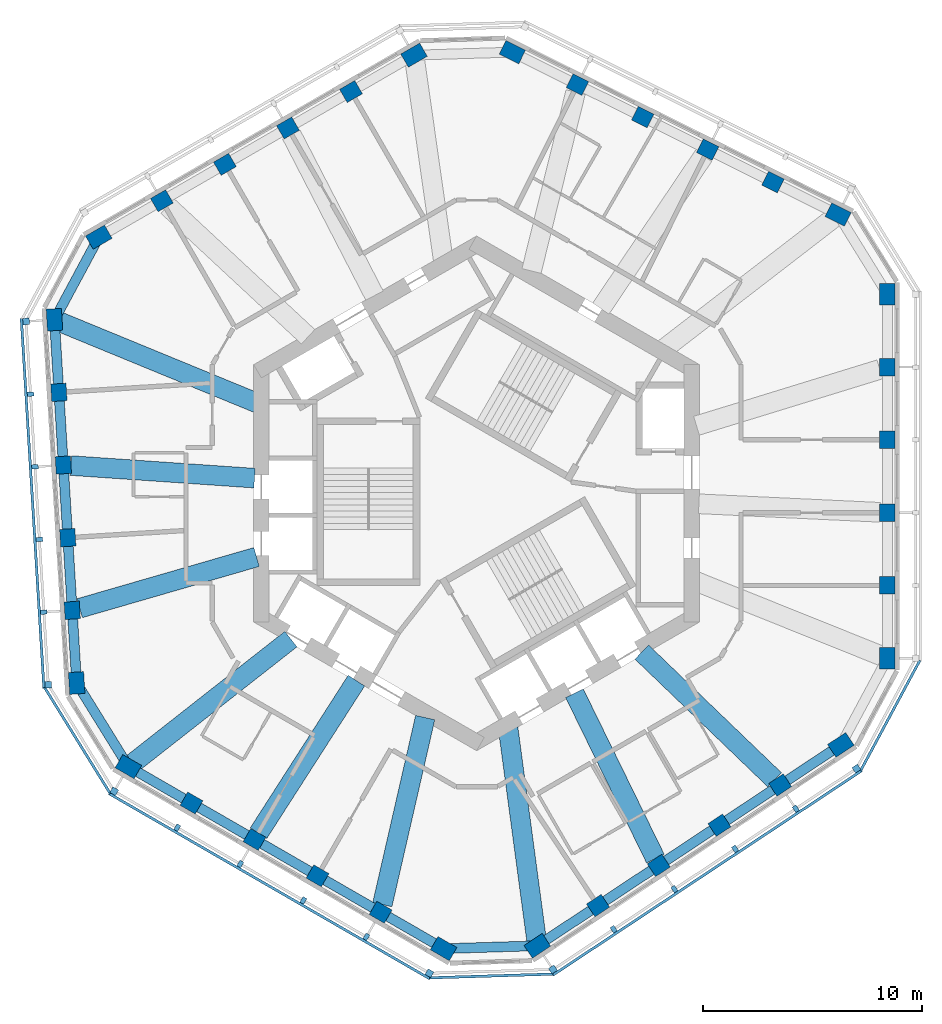
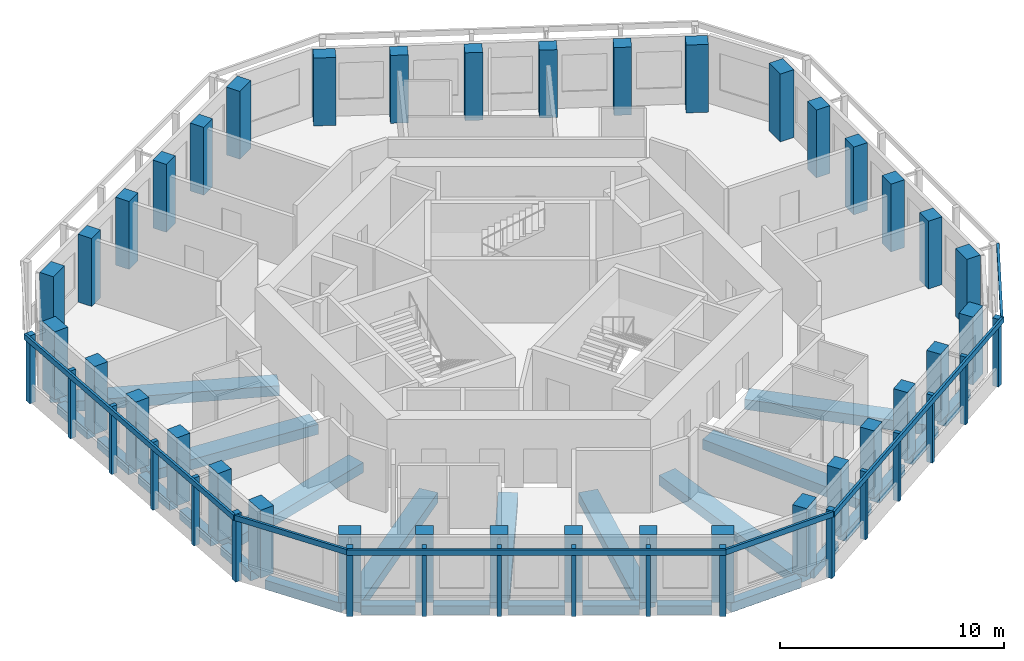
# One storey, part 1 of 11: 36 columns, 27 beams, 24 members, 6 elements without a shape of their own.
"""IFC4 building model written with IfcOpenShell, lengths in metres."""

from ifc_helpers import new_model, si_unit, direction, frame, origin, origin_2d, place, context, subcontext, project, spatial, rectangle, extrude, material, material_profile, profile_set, type_object, element, aggregate, save


model = new_model("IFC4")

# Units and contexts
model_context = context("Model", 3, precision=1e-05, world=origin(), true_north=direction((0.0, 1.0)))
body_context = subcontext(model_context, "Body", "Model", "MODEL_VIEW")
ifc_project = project(units=[si_unit("LENGTHUNIT", "METRE"), si_unit("AREAUNIT", "SQUARE_METRE"), si_unit("VOLUMEUNIT", "CUBIC_METRE"), si_unit("PLANEANGLEUNIT", "RADIAN"), si_unit("MASSUNIT", "GRAM", prefix="KILO")], contexts=[model_context])

# Site, building, storey
site_placement = place(None, origin())
site = spatial("IfcSite", under=ifc_project, at=site_placement, CompositionType="ELEMENT")
building_placement = place(site_placement, origin())
building = spatial("IfcBuilding", under=site, at=building_placement, Name="Vanh Sen Convention Tower", CompositionType="ELEMENT")
storey_placement = place(building_placement, frame((0.0, 0.0, 289.39990234375)))
storey = spatial("IfcBuildingStorey", under=building, at=storey_placement, Name="L71", CompositionType="ELEMENT", Elevation=289.39990234375)

# Columns
ifc_material_1 = material(Name="Concrete C60/75", Category="concrete")
ifc_material_profile_1 = material_profile(ifc_material_1, rectangle(XDim=0.800048828125, YDim=0.699951171875, at=origin_2d()), Name="RC 800X700")
ifc_profile_set_1 = profile_set([ifc_material_profile_1], Name="Concrete C60/75")
column_type_1 = type_object("IfcColumnType", Name="Facade column 800 x 700 C60/75", PredefinedType="COLUMN", material=ifc_profile_set_1)
for number, where, z_axis, x_axis, name in (
    (1, (18.800048828125, -4.215087890625, 0.0), (0.0, 0.0, 1.0), (0.0, 1.0, 0.0), "Facade column 02 L71"),
    (2, (18.800048828125, -0.88330078125, 0.0), (0.0, 0.0, 1.0), (0.0, 1.0, 0.0), "Facade column 03 L71"),
    (3, (18.800048828125, 2.4482421875, 0.0), (0.0, 0.0, 1.0), (0.0, 1.0, 0.0), "Facade column 04 L71"),
    (4, (18.800048828125, 5.77978515625, 0.0), (0.0, 0.0, 1.0), (0.0, 1.0, 0.0), "Facade column 05 L71"),
    (5, (13.56103515625, 14.245849609375, 0.0), (0.0, 0.0, 1.0), (-0.894934361602, 0.44619781311, 0.0), "Facade column 08 L71"),
    (6, (10.57958984375, 15.732421875, 0.0), (0.0, 0.0, 1.0), (-0.894934361602, 0.44619781311, 0.0), "Facade column 09 L71"),
    (7, (7.597900390625, 17.218994140625, 0.0), (0.0, 0.0, 1.0), (-0.894934361602, 0.44619781311, 0.0), "Facade column 10 L71"),
    (8, (4.6162109375, 18.70556640625, 0.0), (0.0, 0.0, 1.0), (-0.894934361602, 0.44619781311, 0.0), "Facade column 11 L71"),
    (9, (-5.74951171875, 18.388916015625, 0.0), (0.0, 0.0, 1.0), (-0.866025403784, -0.5, 0.0), "Facade column 14 L71"),
    (10, (-8.635009765625, 16.722900390625, 0.0), (0.0, 0.0, 1.0), (-0.866025403784, -0.5, 0.0), "Facade column 15 L71"),
    (11, (-11.520263671875, 15.05712890625, 0.0), (0.0, 0.0, 1.0), (-0.866025403784, -0.5, 0.0), "Facade column 16 L71"),
    (12, (-14.405517578125, 13.391357421875, 0.0), (0.0, 0.0, 1.0), (-0.866025403784, -0.5, 0.0), "Facade column 17 L71"),
    (13, (-19.117919921875, 4.621337890625, 0.0), (0.0, 0.0, 1.0), (0.061048539535, -0.998134798422, 0.0), "Facade column 20 L71"),
    (14, (-18.914306640625, 1.2958984375, 0.0), (0.0, 0.0, 1.0), (0.061048539535, -0.998134798422, 0.0), "Facade column 21 L71"),
    (15, (-18.7109375, -2.029541015625, 0.0), (0.0, 0.0, 1.0), (0.061048539535, -0.998134798422, 0.0), "Facade column 22 L71"),
    (16, (-18.507568359375, -5.35498046875, 0.0), (0.0, 0.0, 1.0), (0.061048539535, -0.998134798422, 0.0), "Facade column 23 L71"),
    (17, (-13.05029296875, -14.173583984375, 0.0), (0.0, 0.0, 1.0), (0.866025403784, -0.5, 0.0), "Facade column 26 L71"),
    (18, (-10.1650390625, -15.839599609375, 0.0), (0.0, 0.0, 1.0), (0.866025403784, -0.5, 0.0), "Facade column 27 L71"),
    (19, (-7.27978515625, -17.50537109375, 0.0), (0.0, 0.0, 1.0), (0.866025403784, -0.5, 0.0), "Facade column 28 L71"),
    (20, (-4.39453125, -19.171142578125, 0.0), (0.0, 0.0, 1.0), (0.866025403784, -0.5, 0.0), "Facade column 29 L71"),
    (21, (5.556640625, -18.8671875, 0.0), (0.0, 0.0, 1.0), (0.833885822067, 0.551936985312, 0.0), "Facade column 32 L71"),
    (22, (8.3349609375, -17.0283203125, 0.0), (0.0, 0.0, 1.0), (0.833885822067, 0.551936985312, 0.0), "Facade column 33 L71"),
    (23, (11.113037109375, -15.189453125, 0.0), (0.0, 0.0, 1.0), (0.833885822067, 0.551936985312, 0.0), "Facade column 34 L71"),
    (24, (13.891357421875, -13.3505859375, 0.0), (0.0, 0.0, 1.0), (0.833885822067, 0.551936985312, 0.0), "Facade column 35 L71"),
):
    element("IfcColumn", number, at=place(storey_placement, frame(where, z_axis=z_axis, x_axis=x_axis)), inside=storey, type_object=column_type_1, Name=name, PredefinedType="COLUMN", context=body_context, shape_type="SweptSolid", body=[
        extrude(rectangle(XDim=0.800048828125, YDim=0.699951171875, at=origin_2d()), origin(), (0.0, 0.0, 1.0), 3.7001953125),
    ])
ifc_material_profile_2 = material_profile(ifc_material_1, rectangle(XDim=1.0, YDim=0.699951171875, at=origin_2d()), Name="RC 1000X700")
ifc_profile_set_2 = profile_set([ifc_material_profile_2], Name="Concrete C60/75")
column_type_2 = type_object("IfcColumnType", Name="Facade corner column 1000 x 700 C60/75", PredefinedType="COLUMN", material=ifc_profile_set_2)
for number, where, z_axis, x_axis, name in (
    (25, (18.800048828125, -7.546630859375, 0.0), (0.0, 0.0, 1.0), (0.0, 1.0, 0.0), "Facade column 01 L71"),
    (26, (18.800048828125, 9.111572265625, 0.0), (0.0, 0.0, 1.0), (0.0, 1.0, 0.0), "Facade column 06 L71"),
    (27, (16.542724609375, 12.75927734375, 0.0), (0.0, 0.0, 1.0), (-0.894934361602, 0.44619781311, 0.0), "Facade column 07 L71"),
    (28, (1.634765625, 20.192138671875, 0.0), (0.0, 0.0, 1.0), (-0.894934361602, 0.44619781311, 0.0), "Facade column 12 L71"),
    (29, (-2.8642578125, 20.0546875, 0.0), (0.0, 0.0, 1.0), (-0.866025403784, -0.5, 0.0), "Facade column 13 L71"),
    (30, (-17.290771484375, 11.7255859375, 0.0), (0.0, 0.0, 1.0), (-0.866025403784, -0.5, 0.0), "Facade column 18 L71"),
    (31, (-19.3212890625, 7.94677734375, 0.0), (0.0, 0.0, 1.0), (0.061048539535, -0.998134798422, 0.0), "Facade column 19 L71"),
    (32, (-18.30419921875, -8.680419921875, 0.0), (0.0, 0.0, 1.0), (0.061048539535, -0.998134798422, 0.0), "Facade column 24 L71"),
    (33, (-15.935791015625, -12.5078125, 0.0), (0.0, 0.0, 1.0), (0.866025403784, -0.5, 0.0), "Facade column 25 L71"),
    (34, (-1.50927734375, -20.8369140625, 0.0), (0.0, 0.0, 1.0), (0.866025403784, -0.5, 0.0), "Facade column 30 L71"),
    (35, (2.7783203125, -20.7060546875, 0.0), (0.0, 0.0, 1.0), (0.833885822067, 0.551936985312, 0.0), "Facade column 31 L71"),
    (36, (16.66943359375, -11.51171875, 0.0), (0.0, 0.0, 1.0), (0.833885822067, 0.551936985312, 0.0), "Facade column 36 L71"),
):
    element("IfcColumn", number, at=place(storey_placement, frame(where, z_axis=z_axis, x_axis=x_axis)), inside=storey, type_object=column_type_2, Name=name, PredefinedType="COLUMN", context=body_context, shape_type="SweptSolid", body=[
        extrude(rectangle(XDim=1.0, YDim=0.699951171875, at=origin_2d()), origin(), (0.0, 0.0, 1.0), 3.7001953125),
    ])

# Curtain wall, members
ifc_material_2 = material(Name="Concrete C50/60", Category="concrete")
curtain_wall_type = type_object("IfcCurtainWallType", Name="Outer skin office zone", PredefinedType="NOTDEFINED", material=ifc_material_2)
curtain_wall_1_placement = place(storey_placement, origin())
curtain_wall_1 = element("IfcCurtainWall", 37, at=curtain_wall_1_placement, inside=storey, type_object=curtain_wall_type, Name="OUTER SKIN W L71", PredefinedType="NOTDEFINED")
ifc_material_profile_3 = material_profile(ifc_material_2, rectangle(XDim=0.300048828125, YDim=0.300048828125, at=origin_2d()), Name="Outer skin precast corner fin 300 x 300")
ifc_profile_set_3 = profile_set([ifc_material_profile_3], Name="Concrete C50/60")
member_type_1 = type_object("IfcMemberType", Name="Outer skin precast corner fin 300 x 300", PredefinedType="MULLION", material=ifc_profile_set_3)
member_1_placement = place(storey_placement, frame((-20.618896484375, 7.867431640625, 0.0), z_axis=(0.0, 0.0, 1.0), x_axis=(0.061048539535, -0.998134798422, 0.0)))
member_1 = element("IfcMember", 38, at=member_1_placement, type_object=member_type_1, Name="OUTER SKIN CORNER FIN 1 W L71", PredefinedType="MULLION", context=body_context, shape_type="SweptSolid", body=[
    extrude(rectangle(XDim=0.300048828125, YDim=0.300048828125, at=origin_2d()), origin(), (0.0, 0.0, 1.0), 3.7001953125),
])
member_2_placement = place(storey_placement, frame((-19.601806640625, -8.759765625, 0.0), z_axis=(0.0, 0.0, 1.0), x_axis=(0.061048539535, -0.998134798422, 0.0)))
member_2 = element("IfcMember", 39, at=member_2_placement, type_object=member_type_1, Name="OUTER SKIN CORNER FIN 6 W L71", PredefinedType="MULLION", context=body_context, shape_type="SweptSolid", body=[
    extrude(rectangle(XDim=0.300048828125, YDim=0.300048828125, at=origin_2d()), origin(), (0.0, 0.0, 1.0), 3.7001953125),
])

curtain_wall_2_placement = place(storey_placement, origin())
curtain_wall_2 = element("IfcCurtainWall", 40, at=curtain_wall_2_placement, inside=storey, type_object=curtain_wall_type, Name="OUTER SKIN SW L71", PredefinedType="NOTDEFINED")
member_3_placement = place(storey_placement, frame((-16.585693359375, -13.6337890625, 0.0), z_axis=(0.0, 0.0, 1.0), x_axis=(0.866025403784, -0.5, 0.0)))
member_3 = element("IfcMember", 41, at=member_3_placement, type_object=member_type_1, Name="OUTER SKIN CORNER FIN 1 SW L71", PredefinedType="MULLION", context=body_context, shape_type="SweptSolid", body=[
    extrude(rectangle(XDim=0.300048828125, YDim=0.300048828125, at=origin_2d()), origin(), (0.0, 0.0, 1.0), 3.7001953125),
])
member_4_placement = place(storey_placement, frame((-2.1591796875, -21.962890625, 0.0), z_axis=(0.0, 0.0, 1.0), x_axis=(0.866025403784, -0.5, 0.0)))
member_4 = element("IfcMember", 42, at=member_4_placement, type_object=member_type_1, Name="OUTER SKIN CORNER FIN 6 SW L71", PredefinedType="MULLION", context=body_context, shape_type="SweptSolid", body=[
    extrude(rectangle(XDim=0.300048828125, YDim=0.300048828125, at=origin_2d()), origin(), (0.0, 0.0, 1.0), 3.7001953125),
])

curtain_wall_3_placement = place(storey_placement, origin())
curtain_wall_3 = element("IfcCurtainWall", 43, at=curtain_wall_3_placement, inside=storey, type_object=curtain_wall_type, Name="OUTER SKIN SE L71", PredefinedType="NOTDEFINED")
member_5_placement = place(storey_placement, frame((3.495849609375, -21.7900390625, 0.0), z_axis=(0.0, 0.0, 1.0), x_axis=(0.833885822067, 0.551936985312, 0.0)))
member_5 = element("IfcMember", 44, at=member_5_placement, type_object=member_type_1, Name="OUTER SKIN CORNER FIN 1 SE L71", PredefinedType="MULLION", context=body_context, shape_type="SweptSolid", body=[
    extrude(rectangle(XDim=0.300048828125, YDim=0.300048828125, at=origin_2d()), origin(), (0.0, 0.0, 1.0), 3.7001953125),
])
member_6_placement = place(storey_placement, frame((17.386962890625, -12.595703125, 0.0), z_axis=(0.0, 0.0, 1.0), x_axis=(0.833885822067, 0.551936985312, 0.0)))
member_6 = element("IfcMember", 45, at=member_6_placement, type_object=member_type_1, Name="OUTER SKIN CORNER FIN 6 SE L71", PredefinedType="MULLION", context=body_context, shape_type="SweptSolid", body=[
    extrude(rectangle(XDim=0.300048828125, YDim=0.300048828125, at=origin_2d()), origin(), (0.0, 0.0, 1.0), 3.7001953125),
])

# Member
ifc_material_profile_4 = material_profile(ifc_material_2, rectangle(XDim=0.199951171875, YDim=0.300048828125, at=origin_2d()), Name="Outer skin precast fin 200 x 300")
ifc_profile_set_4 = profile_set([ifc_material_profile_4], Name="Concrete C50/60")
member_type_2 = type_object("IfcMemberType", Name="Outer skin precast fin 200 x 300", PredefinedType="MULLION", material=ifc_profile_set_4)
member_7_placement = place(storey_placement, frame((-20.415283203125, 4.5419921875, 0.0), z_axis=(0.0, 0.0, 1.0), x_axis=(0.061048539535, -0.998134798422, 0.0)))
member_7 = element("IfcMember", 46, at=member_7_placement, type_object=member_type_2, Name="OUTER SKIN fin 2 W L71", PredefinedType="MULLION", context=body_context, shape_type="SweptSolid", body=[
    extrude(rectangle(XDim=0.199951171875, YDim=0.300048828125, at=origin_2d()), origin(), (0.0, 0.0, 1.0), 3.7001953125),
])

member_8_placement = place(storey_placement, frame((-20.2119140625, 1.216552734375, 0.0), z_axis=(0.0, 0.0, 1.0), x_axis=(0.061048539535, -0.998134798422, 0.0)))
member_8 = element("IfcMember", 47, at=member_8_placement, type_object=member_type_2, Name="OUTER SKIN fin 3 W L71", PredefinedType="MULLION", context=body_context, shape_type="SweptSolid", body=[
    extrude(rectangle(XDim=0.199951171875, YDim=0.300048828125, at=origin_2d()), origin(), (0.0, 0.0, 1.0), 3.7001953125),
])

member_9_placement = place(storey_placement, frame((-20.008544921875, -2.10888671875, 0.0), z_axis=(0.0, 0.0, 1.0), x_axis=(0.061048539535, -0.998134798422, 0.0)))
member_9 = element("IfcMember", 48, at=member_9_placement, type_object=member_type_2, Name="OUTER SKIN fin 4 W L71", PredefinedType="MULLION", context=body_context, shape_type="SweptSolid", body=[
    extrude(rectangle(XDim=0.199951171875, YDim=0.300048828125, at=origin_2d()), origin(), (0.0, 0.0, 1.0), 3.7001953125),
])

member_10_placement = place(storey_placement, frame((-19.80517578125, -5.434326171875, 0.0), z_axis=(0.0, 0.0, 1.0), x_axis=(0.061048539535, -0.998134798422, 0.0)))
member_10 = element("IfcMember", 49, at=member_10_placement, type_object=member_type_2, Name="OUTER SKIN fin 5 W L71", PredefinedType="MULLION", context=body_context, shape_type="SweptSolid", body=[
    extrude(rectangle(XDim=0.199951171875, YDim=0.300048828125, at=origin_2d()), origin(), (0.0, 0.0, 1.0), 3.7001953125),
])

member_11_placement = place(storey_placement, frame((-13.700439453125, -15.299560546875, 0.0), z_axis=(0.0, 0.0, 1.0), x_axis=(0.866025403784, -0.5, 0.0)))
member_11 = element("IfcMember", 50, at=member_11_placement, type_object=member_type_2, Name="OUTER SKIN fin 2 SW L71", PredefinedType="MULLION", context=body_context, shape_type="SweptSolid", body=[
    extrude(rectangle(XDim=0.199951171875, YDim=0.300048828125, at=origin_2d()), origin(), (0.0, 0.0, 1.0), 3.7001953125),
])

member_12_placement = place(storey_placement, frame((-10.815185546875, -16.96533203125, 0.0), z_axis=(0.0, 0.0, 1.0), x_axis=(0.866025403784, -0.5, 0.0)))
member_12 = element("IfcMember", 51, at=member_12_placement, type_object=member_type_2, Name="OUTER SKIN fin 3 SW L71", PredefinedType="MULLION", context=body_context, shape_type="SweptSolid", body=[
    extrude(rectangle(XDim=0.199951171875, YDim=0.300048828125, at=origin_2d()), origin(), (0.0, 0.0, 1.0), 3.7001953125),
])

member_13_placement = place(storey_placement, frame((-7.9296875, -18.631103515625, 0.0), z_axis=(0.0, 0.0, 1.0), x_axis=(0.866025403784, -0.5, 0.0)))
member_13 = element("IfcMember", 52, at=member_13_placement, type_object=member_type_2, Name="OUTER SKIN fin 4 SW L71", PredefinedType="MULLION", context=body_context, shape_type="SweptSolid", body=[
    extrude(rectangle(XDim=0.199951171875, YDim=0.300048828125, at=origin_2d()), origin(), (0.0, 0.0, 1.0), 3.7001953125),
])

member_14_placement = place(storey_placement, frame((-5.04443359375, -20.297119140625, 0.0), z_axis=(0.0, 0.0, 1.0), x_axis=(0.866025403784, -0.5, 0.0)))
member_14 = element("IfcMember", 53, at=member_14_placement, type_object=member_type_2, Name="OUTER SKIN fin 5 SW L71", PredefinedType="MULLION", context=body_context, shape_type="SweptSolid", body=[
    extrude(rectangle(XDim=0.199951171875, YDim=0.300048828125, at=origin_2d()), origin(), (0.0, 0.0, 1.0), 3.7001953125),
])

member_15_placement = place(storey_placement, frame((6.274169921875, -19.951416015625, 0.0), z_axis=(0.0, 0.0, 1.0), x_axis=(0.833885822067, 0.551936985312, 0.0)))
member_15 = element("IfcMember", 54, at=member_15_placement, type_object=member_type_2, Name="OUTER SKIN fin 2 SE L71", PredefinedType="MULLION", context=body_context, shape_type="SweptSolid", body=[
    extrude(rectangle(XDim=0.199951171875, YDim=0.300048828125, at=origin_2d()), origin(), (0.0, 0.0, 1.0), 3.7001953125),
])

member_16_placement = place(storey_placement, frame((9.052490234375, -18.1123046875, 0.0), z_axis=(0.0, 0.0, 1.0), x_axis=(0.833885822067, 0.551936985312, 0.0)))
member_16 = element("IfcMember", 55, at=member_16_placement, type_object=member_type_2, Name="OUTER SKIN fin 3 SE L71", PredefinedType="MULLION", context=body_context, shape_type="SweptSolid", body=[
    extrude(rectangle(XDim=0.199951171875, YDim=0.300048828125, at=origin_2d()), origin(), (0.0, 0.0, 1.0), 3.7001953125),
])

member_17_placement = place(storey_placement, frame((11.83056640625, -16.273681640625, 0.0), z_axis=(0.0, 0.0, 1.0), x_axis=(0.833885822067, 0.551936985312, 0.0)))
member_17 = element("IfcMember", 56, at=member_17_placement, type_object=member_type_2, Name="OUTER SKIN fin 4 SE L71", PredefinedType="MULLION", context=body_context, shape_type="SweptSolid", body=[
    extrude(rectangle(XDim=0.199951171875, YDim=0.300048828125, at=origin_2d()), origin(), (0.0, 0.0, 1.0), 3.7001953125),
])

member_18_placement = place(storey_placement, frame((14.60888671875, -14.434814453125, 0.0), z_axis=(0.0, 0.0, 1.0), x_axis=(0.833885822067, 0.551936985312, 0.0)))
member_18 = element("IfcMember", 57, at=member_18_placement, type_object=member_type_2, Name="OUTER SKIN fin 5 SE L71", PredefinedType="MULLION", context=body_context, shape_type="SweptSolid", body=[
    extrude(rectangle(XDim=0.199951171875, YDim=0.300048828125, at=origin_2d()), origin(), (0.0, 0.0, 1.0), 3.7001953125),
])

ifc_material_profile_5 = material_profile(ifc_material_2, rectangle(XDim=0.1201171875, YDim=0.300048828125, at=origin_2d()), Name="Outer skin precast spandrel band 300 x 120")
ifc_profile_set_5 = profile_set([ifc_material_profile_5], Name="Concrete C50/60")
member_type_3 = type_object("IfcMemberType", Name="Outer skin precast spandrel band 300 x 120", PredefinedType="USERDEFINED", material=ifc_profile_set_5)
member_19_placement = place(storey_placement, frame((-20.83740234375, 8.00439453125, 3.550048828125), z_axis=(0.061040984027, -0.998135260508, 0.0), x_axis=(0.998135260508, 0.061040984027, 0.0)))
member_19 = element("IfcMember", 58, at=member_19_placement, type_object=member_type_3, Name="OUTER SKIN spandrel band W L71", ObjectType="TRANSOM", PredefinedType="USERDEFINED", context=body_context, shape_type="SweptSolid", body=[
    extrude(rectangle(XDim=0.1201171875, YDim=0.300048828125, at=origin_2d()), origin(), (0.0, 0.0, 1.0), 16.95849609375),
])

aggregate(curtain_wall_1, [member_1, member_7, member_8, member_9, member_10, member_2, member_19])

# Curtain wall, member
curtain_wall_4_placement = place(storey_placement, origin())
curtain_wall_4 = element("IfcCurtainWall", 59, at=curtain_wall_4_placement, inside=storey, type_object=curtain_wall_type, Name="OUTER SKIN CH4 L71", PredefinedType="NOTDEFINED")
member_20_placement = place(storey_placement, frame((-19.7802734375, -8.870361328125, 3.550048828125), z_axis=(0.526199162152, -0.850361359512, 0.0), x_axis=(0.850361359512, 0.526199162152, 0.0)))
member_20 = element("IfcMember", 60, at=member_20_placement, type_object=member_type_3, Name="OUTER SKIN spandrel band CH4 L71", ObjectType="TRANSOM", PredefinedType="USERDEFINED", context=body_context, shape_type="SweptSolid", body=[
    extrude(rectangle(XDim=0.1201171875, YDim=0.300048828125, at=origin_2d()), origin(), (0.0, 0.0, 1.0), 5.7314453125),
])
aggregate(curtain_wall_4, [member_20])

# Member
member_21_placement = place(storey_placement, frame((-16.820556640625, -13.740478515625, 3.550048828125), z_axis=(0.866022320763, -0.500005339912, 0.0), x_axis=(0.500005339912, 0.866022320763, 0.0)))
member_21 = element("IfcMember", 61, at=member_21_placement, type_object=member_type_3, Name="OUTER SKIN spandrel band SW L71", ObjectType="TRANSOM", PredefinedType="USERDEFINED", context=body_context, shape_type="SweptSolid", body=[
    extrude(rectangle(XDim=0.1201171875, YDim=0.300048828125, at=origin_2d()), origin(), (0.0, 0.0, 1.0), 16.958251953125),
])

aggregate(curtain_wall_2, [member_3, member_11, member_12, member_13, member_14, member_4, member_21])

# Curtain wall, member
curtain_wall_5_placement = place(storey_placement, origin())
curtain_wall_5 = element("IfcCurtainWall", 62, at=curtain_wall_5_placement, inside=storey, type_object=curtain_wall_type, Name="OUTER SKIN CH5 L71", PredefinedType="NOTDEFINED")
member_22_placement = place(storey_placement, frame((-2.15283203125, -22.172607421875, 3.550048828125), z_axis=(0.999534504066, 0.030508608314, 0.0), x_axis=(-0.030508608314, 0.999534504066, 0.0)))
member_22 = element("IfcMember", 63, at=member_22_placement, type_object=member_type_3, Name="OUTER SKIN spandrel band CH5 L71", ObjectType="TRANSOM", PredefinedType="USERDEFINED", context=body_context, shape_type="SweptSolid", body=[
    extrude(rectangle(XDim=0.1201171875, YDim=0.300048828125, at=origin_2d()), origin(), (0.0, 0.0, 1.0), 5.65771484375),
])
aggregate(curtain_wall_5, [member_22])

# Member
member_23_placement = place(storey_placement, frame((3.48681640625, -22.048095703125, 3.550048828125), z_axis=(0.833877443168, 0.551949644239, 0.0), x_axis=(-0.551949644239, 0.833877443168, 0.0)))
member_23 = element("IfcMember", 64, at=member_23_placement, type_object=member_type_3, Name="OUTER SKIN spandrel band SE L71", ObjectType="TRANSOM", PredefinedType="USERDEFINED", context=body_context, shape_type="SweptSolid", body=[
    extrude(rectangle(XDim=0.1201171875, YDim=0.300048828125, at=origin_2d()), origin(), (0.0, 0.0, 1.0), 16.958251953125),
])

aggregate(curtain_wall_3, [member_5, member_15, member_16, member_17, member_18, member_6, member_23])

# Curtain wall, member
curtain_wall_6_placement = place(storey_placement, origin())
curtain_wall_6 = element("IfcCurtainWall", 65, at=curtain_wall_6_placement, inside=storey, type_object=curtain_wall_type, Name="OUTER SKIN CH6 L71", PredefinedType="NOTDEFINED")
member_24_placement = place(storey_placement, frame((17.572021484375, -12.695068359375, 3.550048828125), z_axis=(0.473309680768, 0.880896104028, 0.0), x_axis=(-0.880896104028, 0.473309680768, 0.0)))
member_24 = element("IfcMember", 66, at=member_24_placement, type_object=member_type_3, Name="OUTER SKIN spandrel band CH6 L71", ObjectType="TRANSOM", PredefinedType="USERDEFINED", context=body_context, shape_type="SweptSolid", body=[
    extrude(rectangle(XDim=0.1201171875, YDim=0.300048828125, at=origin_2d()), origin(), (0.0, 0.0, 1.0), 5.731689453125),
])
aggregate(curtain_wall_6, [member_24])

# Beams
ifc_material_3 = material(Name="Concrete C50/60", Category="concrete")
ifc_material_profile_6 = material_profile(ifc_material_3, rectangle(XDim=0.89990234375, YDim=0.550048828125, at=origin_2d()), Name="RC 900X550")
ifc_profile_set_6 = profile_set([ifc_material_profile_6], Name="Concrete C50/60")
beam_type_1 = type_object("IfcBeamType", Name="Radial floor beam 900 x 550", PredefinedType="BEAM", material=ifc_profile_set_6)
beam_1_placement = place(storey_placement, frame((-19.167724609375, 7.8837890625, -0.554931640625), z_axis=(0.924829402314, -0.3803821455, 0.0), x_axis=(0.3803821455, 0.924829402314, 0.0)))
element("IfcBeam", 67, at=beam_1_placement, inside=storey, type_object=beam_type_1, Name="Radial beam 10 L71", PredefinedType="BEAM", context=body_context, shape_type="SweptSolid", body=[
    extrude(rectangle(XDim=0.89990234375, YDim=0.550048828125, at=origin_2d()), origin(), (0.0, 0.0, 1.0), 9.88671875),
])
beam_2_placement = place(storey_placement, frame((-18.5673828125, 1.272216796875, -0.554931640625), z_axis=(0.997659532439, -0.068377315931, 0.0), x_axis=(0.068377315931, 0.997659532439, 0.0)))
element("IfcBeam", 68, at=beam_2_placement, inside=storey, type_object=beam_type_1, Name="Radial beam 11 L71", PredefinedType="BEAM", context=body_context, shape_type="SweptSolid", body=[
    extrude(rectangle(XDim=0.89990234375, YDim=0.550048828125, at=origin_2d()), origin(), (0.0, 0.0, 1.0), 8.4228515625),
])
beam_3_placement = place(storey_placement, frame((-18.16796875, -5.256591796875, -0.554931640625), z_axis=(0.960599472256, 0.277936420611, 0.0), x_axis=(-0.277936420611, 0.960599472256, 0.0)))
element("IfcBeam", 69, at=beam_3_placement, inside=storey, type_object=beam_type_1, Name="Radial beam 12 L71", PredefinedType="BEAM", context=body_context, shape_type="SweptSolid", body=[
    extrude(rectangle(XDim=0.89990234375, YDim=0.550048828125, at=origin_2d()), origin(), (0.0, 0.0, 1.0), 8.429931640625),
])
beam_4_placement = place(storey_placement, frame((-15.78515625, -12.3896484375, -0.554931640625), z_axis=(0.786634743009, 0.617418643298, 0.0), x_axis=(-0.617418643298, 0.786634743009, 0.0)))
element("IfcBeam", 70, at=beam_4_placement, inside=storey, type_object=beam_type_1, Name="Radial beam 13 L71", PredefinedType="BEAM", context=body_context, shape_type="SweptSolid", body=[
    extrude(rectangle(XDim=0.89990234375, YDim=0.550048828125, at=origin_2d()), origin(), (0.0, 0.0, 1.0), 9.26123046875),
])
beam_5_placement = place(storey_placement, frame((-9.978515625, -15.548828125, -0.554931640625), z_axis=(0.540099548454, 0.841601139353, 0.0), x_axis=(-0.841601139353, 0.540099548454, 0.0)))
element("IfcBeam", 71, at=beam_5_placement, inside=storey, type_object=beam_type_1, Name="Radial beam 14 L71", PredefinedType="BEAM", context=body_context, shape_type="SweptSolid", body=[
    extrude(rectangle(XDim=0.89990234375, YDim=0.550048828125, at=origin_2d()), origin(), (0.0, 0.0, 1.0), 8.290283203125),
])
beam_6_placement = place(storey_placement, frame((-4.313720703125, -18.819091796875, -0.554931640625), z_axis=(0.223415237432, 0.974723361618, 0.0), x_axis=(-0.974723361618, 0.223415237432, 0.0)))
element("IfcBeam", 72, at=beam_6_placement, inside=storey, type_object=beam_type_1, Name="Radial beam 15 L71", PredefinedType="BEAM", context=body_context, shape_type="SweptSolid", body=[
    extrude(rectangle(XDim=0.89990234375, YDim=0.550048828125, at=origin_2d()), origin(), (0.0, 0.0, 1.0), 8.779296875),
])
beam_7_placement = place(storey_placement, frame((2.75634765625, -20.54150390625, -0.554931640625), z_axis=(-0.133001541372, 0.991115830765, 0.0), x_axis=(-0.991115830765, -0.133001541372, 0.0)))
element("IfcBeam", 73, at=beam_7_placement, inside=storey, type_object=beam_type_1, Name="Radial beam 16 L71", PredefinedType="BEAM", context=body_context, shape_type="SweptSolid", body=[
    extrude(rectangle(XDim=0.89990234375, YDim=0.550048828125, at=origin_2d()), origin(), (0.0, 0.0, 1.0), 9.88671875),
])
beam_8_placement = place(storey_placement, frame((8.181884765625, -16.7158203125, -0.554931640625), z_axis=(-0.439626501915, 0.898180682722, 0.0), x_axis=(-0.898180682722, -0.439626501915, 0.0)))
element("IfcBeam", 74, at=beam_8_placement, inside=storey, type_object=beam_type_1, Name="Radial beam 17 L71", PredefinedType="BEAM", context=body_context, shape_type="SweptSolid", body=[
    extrude(rectangle(XDim=0.89990234375, YDim=0.550048828125, at=origin_2d()), origin(), (0.0, 0.0, 1.0), 8.4228515625),
])
beam_9_placement = place(storey_placement, frame((13.63623046875, -13.10546875, -0.554931640625), z_axis=(-0.720999445423, 0.692935638931, 0.0), x_axis=(-0.692935638931, -0.720999445423, 0.0)))
element("IfcBeam", 75, at=beam_9_placement, inside=storey, type_object=beam_type_1, Name="Radial beam 18 L71", PredefinedType="BEAM", context=body_context, shape_type="SweptSolid", body=[
    extrude(rectangle(XDim=0.89990234375, YDim=0.550048828125, at=origin_2d()), origin(), (0.0, 0.0, 1.0), 8.4296875),
])
ifc_material_profile_7 = material_profile(ifc_material_3, rectangle(XDim=0.449951171875, YDim=0.5, at=origin_2d()), Name="RC 450X500")
ifc_profile_set_7 = profile_set([ifc_material_profile_7], Name="Concrete C50/60")
beam_type_2 = type_object("IfcBeamType", Name="Spandrel beam 450 x 500", PredefinedType="SPANDREL", material=ifc_profile_set_7)
beam_10_placement = place(storey_placement, frame((-17.43115234375, 11.46435546875, -0.52978515625), z_axis=(-0.473331663196, -0.880884292411, 0.0), x_axis=(0.880884292411, -0.473331663196, 0.0)))
element("IfcBeam", 76, at=beam_10_placement, inside=storey, type_object=beam_type_2, Name="Spandrel beam 18 L71", PredefinedType="SPANDREL", context=body_context, shape_type="SweptSolid", body=[
    extrude(rectangle(XDim=0.449951171875, YDim=0.5, at=origin_2d()), origin(), (0.0, 0.0, 1.0), 3.69677734375),
])
beam_11_placement = place(storey_placement, frame((-19.291015625, 7.452880859375, -0.52978515625), z_axis=(0.061089734733, -0.998132277962, 0.0), x_axis=(0.998132277962, 0.061089734733, 0.0)))
element("IfcBeam", 77, at=beam_11_placement, inside=storey, type_object=beam_type_2, Name="Spandrel beam 19 L71", PredefinedType="SPANDREL", context=body_context, shape_type="SweptSolid", body=[
    extrude(rectangle(XDim=0.449951171875, YDim=0.5, at=origin_2d()), origin(), (0.0, 0.0, 1.0), 2.44189453125),
])
beam_12_placement = place(storey_placement, frame((-19.09375, 4.227294921875, -0.52978515625), z_axis=(0.061086629106, -0.998132468034, 0.0), x_axis=(0.998132468034, 0.061086629106, 0.0)))
element("IfcBeam", 78, at=beam_12_placement, inside=storey, type_object=beam_type_2, Name="Spandrel beam 20 L71", PredefinedType="SPANDREL", context=body_context, shape_type="SweptSolid", body=[
    extrude(rectangle(XDim=0.449951171875, YDim=0.5, at=origin_2d()), origin(), (0.0, 0.0, 1.0), 2.541748046875),
])
beam_13_placement = place(storey_placement, frame((-18.890380859375, 0.901611328125, -0.52978515625), z_axis=(0.061092485967, -0.998132109572, 0.0), x_axis=(0.998132109572, 0.061092485967, 0.0)))
element("IfcBeam", 79, at=beam_13_placement, inside=storey, type_object=beam_type_2, Name="Spandrel beam 21 L71", PredefinedType="SPANDREL", context=body_context, shape_type="SweptSolid", body=[
    extrude(rectangle(XDim=0.449951171875, YDim=0.5, at=origin_2d()), origin(), (0.0, 0.0, 1.0), 2.54150390625),
])
beam_14_placement = place(storey_placement, frame((-18.68701171875, -2.423583984375, -0.52978515625), z_axis=(0.061086629106, -0.998132468034, 0.0), x_axis=(0.998132468034, 0.061086629106, 0.0)))
element("IfcBeam", 80, at=beam_14_placement, inside=storey, type_object=beam_type_2, Name="Spandrel beam 22 L71", PredefinedType="SPANDREL", context=body_context, shape_type="SweptSolid", body=[
    extrude(rectangle(XDim=0.449951171875, YDim=0.5, at=origin_2d()), origin(), (0.0, 0.0, 1.0), 2.541748046875),
])
beam_15_placement = place(storey_placement, frame((-18.4833984375, -5.7490234375, -0.52978515625), z_axis=(0.060990123754, -0.998138369568, 0.0), x_axis=(0.998138369568, 0.060990123754, 0.0)))
element("IfcBeam", 81, at=beam_15_placement, inside=storey, type_object=beam_type_2, Name="Spandrel beam 23 L71", PredefinedType="SPANDREL", context=body_context, shape_type="SweptSolid", body=[
    extrude(rectangle(XDim=0.449951171875, YDim=0.5, at=origin_2d()), origin(), (0.0, 0.0, 1.0), 2.44189453125),
])
beam_16_placement = place(storey_placement, frame((-18.13818359375, -8.948974609375, -0.52978515625), z_axis=(0.526239495129, -0.850336400354, 0.0), x_axis=(0.850336400354, 0.526239495129, 0.0)))
element("IfcBeam", 82, at=beam_16_placement, inside=storey, type_object=beam_type_2, Name="Spandrel beam 24 L71", PredefinedType="SPANDREL", context=body_context, shape_type="SweptSolid", body=[
    extrude(rectangle(XDim=0.449951171875, YDim=0.5, at=origin_2d()), origin(), (0.0, 0.0, 1.0), 3.86962890625),
])
beam_17_placement = place(storey_placement, frame((-15.507080078125, -12.75537109375, -0.52978515625), z_axis=(0.866000753341, -0.500042693391, 0.0), x_axis=(0.500042693391, 0.866000753341, 0.0)))
element("IfcBeam", 83, at=beam_17_placement, inside=storey, type_object=beam_type_2, Name="Spandrel beam 25 L71", PredefinedType="SPANDREL", context=body_context, shape_type="SweptSolid", body=[
    extrude(rectangle(XDim=0.449951171875, YDim=0.5, at=origin_2d()), origin(), (0.0, 0.0, 1.0), 2.441650390625),
])
for number, where, z_axis, x_axis, name in (
    (84, (-12.708251953125, -14.37109375, -0.52978515625), (0.866000032975, -0.500043940957, 0.0), (0.500043940957, 0.866000032975, 0.0), "Spandrel beam 26 L71"),
    (85, (-9.822998046875, -16.037109375, -0.52978515625), (0.866041625918, -0.499971901387, 0.0), (0.499971901387, 0.866041625918, 0.0), "Spandrel beam 27 L71"),
    (86, (-6.937744140625, -17.702880859375, -0.52978515625), (0.866041625918, -0.499971901387, 0.0), (0.499971901387, 0.866041625918, 0.0), "Spandrel beam 28 L71"),
):
    element("IfcBeam", number, at=place(storey_placement, frame(where, z_axis=z_axis, x_axis=x_axis)), inside=storey, type_object=beam_type_2, Name=name, PredefinedType="SPANDREL", context=body_context, shape_type="SweptSolid", body=[
        extrude(rectangle(XDim=0.449951171875, YDim=0.5, at=origin_2d()), origin(), (0.0, 0.0, 1.0), 2.541748046875),
    ])
beam_18_placement = place(storey_placement, frame((-4.052490234375, -19.36865234375, -0.52978515625), z_axis=(0.866000753341, -0.500042693391, 0.0), x_axis=(0.500042693391, 0.866000753341, 0.0)))
element("IfcBeam", 87, at=beam_18_placement, inside=storey, type_object=beam_type_2, Name="Spandrel beam 29 L71", PredefinedType="SPANDREL", context=body_context, shape_type="SweptSolid", body=[
    extrude(rectangle(XDim=0.449951171875, YDim=0.5, at=origin_2d()), origin(), (0.0, 0.0, 1.0), 2.441650390625),
])
beam_19_placement = place(storey_placement, frame((-1.212890625, -20.827880859375, -0.52978515625), z_axis=(0.999534367719, 0.030513075055, 0.0), x_axis=(-0.030513075055, 0.999534367719, 0.0)))
element("IfcBeam", 88, at=beam_19_placement, inside=storey, type_object=beam_type_2, Name="Spandrel beam 30 L71", PredefinedType="SPANDREL", context=body_context, shape_type="SweptSolid", body=[
    extrude(rectangle(XDim=0.449951171875, YDim=0.5, at=origin_2d()), origin(), (0.0, 0.0, 1.0), 3.696533203125),
])
beam_20_placement = place(storey_placement, frame((3.191162109375, -20.432861328125, -0.52978515625), z_axis=(0.833891601137, 0.55192825399, 0.0), x_axis=(-0.55192825399, 0.833891601137, 0.0)))
element("IfcBeam", 89, at=beam_20_placement, inside=storey, type_object=beam_type_2, Name="Spandrel beam 31 L71", PredefinedType="SPANDREL", context=body_context, shape_type="SweptSolid", body=[
    extrude(rectangle(XDim=0.449951171875, YDim=0.5, at=origin_2d()), origin(), (0.0, 0.0, 1.0), 2.441650390625),
])
beam_21_placement = place(storey_placement, frame((5.885986328125, -18.649169921875, -0.52978515625), z_axis=(0.833907502564, 0.551904228257, 0.0), x_axis=(-0.551904228257, 0.833907502564, 0.0)))
element("IfcBeam", 90, at=beam_21_placement, inside=storey, type_object=beam_type_2, Name="Spandrel beam 32 L71", PredefinedType="SPANDREL", context=body_context, shape_type="SweptSolid", body=[
    extrude(rectangle(XDim=0.449951171875, YDim=0.5, at=origin_2d()), origin(), (0.0, 0.0, 1.0), 2.541748046875),
])
beam_22_placement = place(storey_placement, frame((8.664306640625, -16.810302734375, -0.52978515625), z_axis=(0.833878242334, 0.551948436868, 0.0), x_axis=(-0.551948436868, 0.833878242334, 0.0)))
element("IfcBeam", 91, at=beam_22_placement, inside=storey, type_object=beam_type_2, Name="Spandrel beam 33 L71", PredefinedType="SPANDREL", context=body_context, shape_type="SweptSolid", body=[
    extrude(rectangle(XDim=0.449951171875, YDim=0.5, at=origin_2d()), origin(), (0.0, 0.0, 1.0), 2.54150390625),
])
beam_23_placement = place(storey_placement, frame((11.4423828125, -14.971435546875, -0.52978515625), z_axis=(0.833907502564, 0.551904228257, 0.0), x_axis=(-0.551904228257, 0.833907502564, 0.0)))
element("IfcBeam", 92, at=beam_23_placement, inside=storey, type_object=beam_type_2, Name="Spandrel beam 34 L71", PredefinedType="SPANDREL", context=body_context, shape_type="SweptSolid", body=[
    extrude(rectangle(XDim=0.449951171875, YDim=0.5, at=origin_2d()), origin(), (0.0, 0.0, 1.0), 2.541748046875),
])
beam_24_placement = place(storey_placement, frame((14.220703125, -13.132568359375, -0.52978515625), z_axis=(0.833861138807, 0.551974275838, 0.0), x_axis=(-0.551974275838, 0.833861138807, 0.0)))
element("IfcBeam", 93, at=beam_24_placement, inside=storey, type_object=beam_type_2, Name="Spandrel beam 35 L71", PredefinedType="SPANDREL", context=body_context, shape_type="SweptSolid", body=[
    extrude(rectangle(XDim=0.449951171875, YDim=0.5, at=origin_2d()), origin(), (0.0, 0.0, 1.0), 2.44140625),
])

save(model, "model.ifc")
